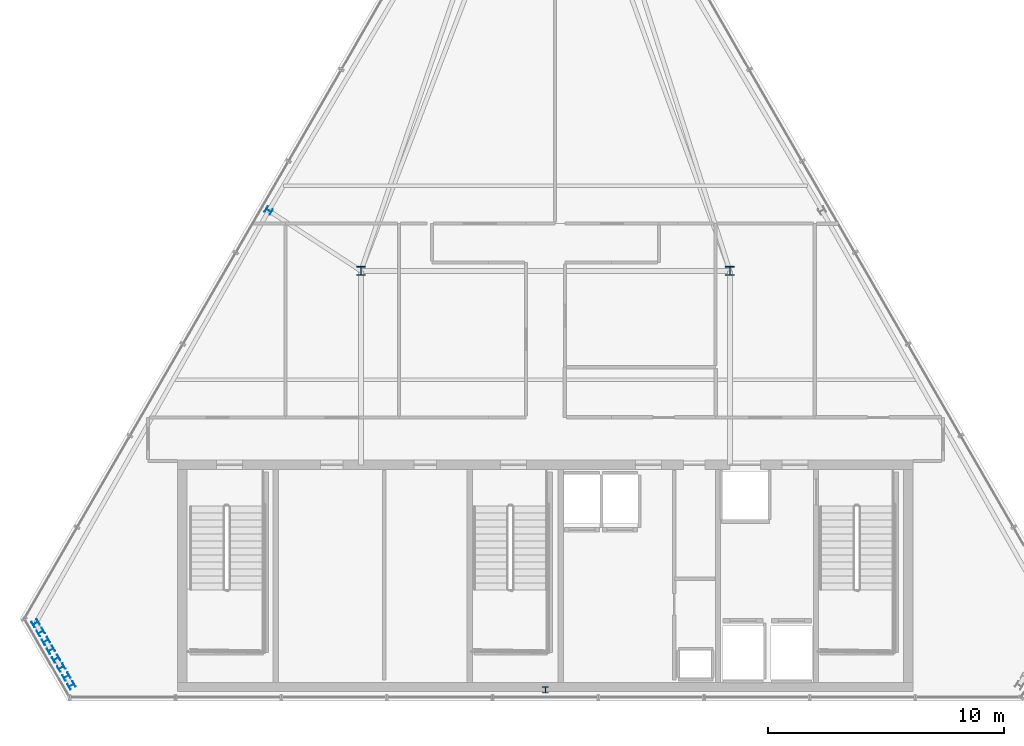
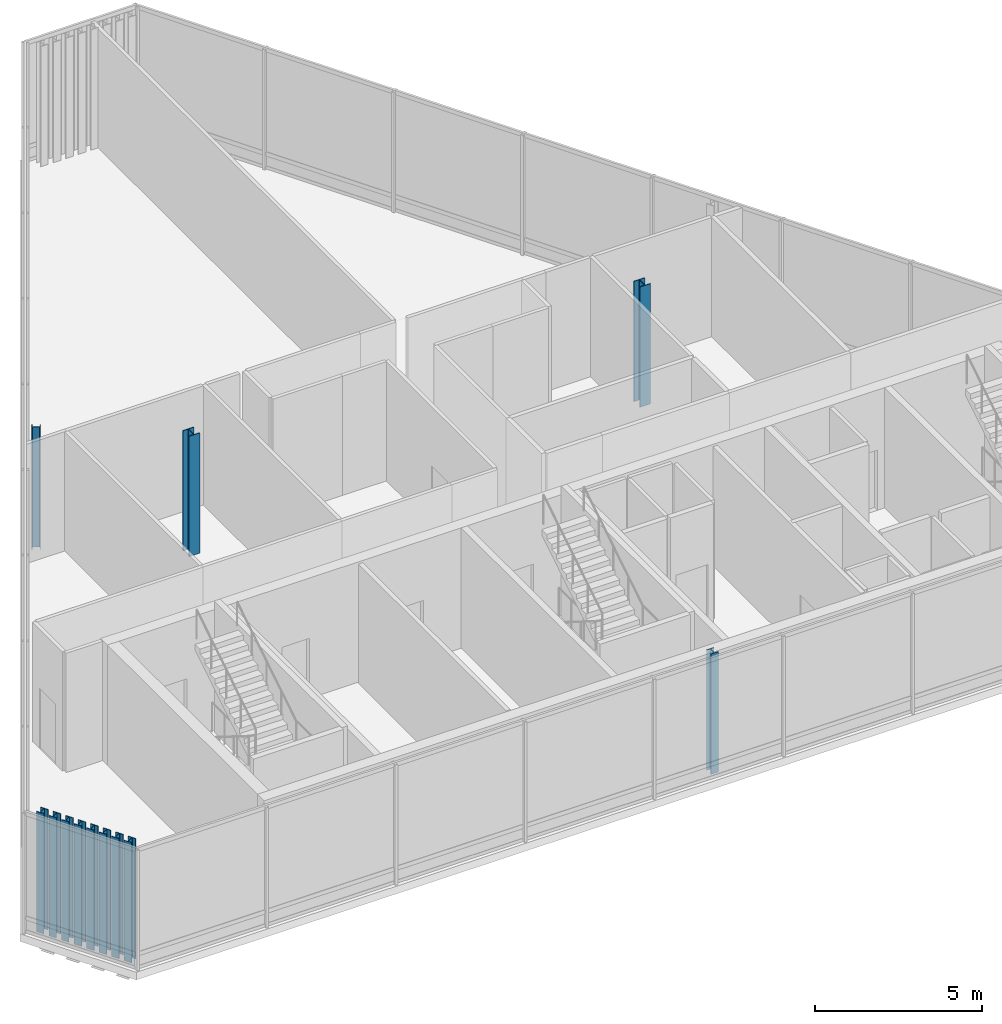
# One storey, part 1 of 25: 12 columns.
"""IFC4 building model written with IfcOpenShell, lengths in metres."""

from ifc_helpers import new_model, si_unit, direction, frame, origin, origin_2d, place, context, subcontext, project, spatial, i_section, extrude, material, material_profile, profile_set, type_object, element, save


model = new_model("IFC4")

# Units and contexts
model_context = context("Model", 3, precision=1e-05, world=origin(), true_north=direction((0.0, 1.0)))
body_context = subcontext(model_context, "Body", "Model", "MODEL_VIEW")
ifc_project = project(units=[si_unit("LENGTHUNIT", "METRE"), si_unit("AREAUNIT", "SQUARE_METRE"), si_unit("VOLUMEUNIT", "CUBIC_METRE"), si_unit("PLANEANGLEUNIT", "RADIAN"), si_unit("MASSUNIT", "GRAM", prefix="KILO")], contexts=[model_context])

# Site, building, storey
site_placement = place(None, origin())
site = spatial("IfcSite", under=ifc_project, at=site_placement, CompositionType="ELEMENT")
building_placement = place(site_placement, origin())
building = spatial("IfcBuilding", under=site, at=building_placement, Name="Ndaravel Arena Tower", CompositionType="ELEMENT")
storey_placement = place(building_placement, frame((0.0, 0.0, 303.300048828125)))
storey = spatial("IfcBuildingStorey", under=building, at=storey_placement, Name="L74", CompositionType="ELEMENT", Elevation=303.300048828125)

# Columns
ifc_material_1 = material(Name="Steel S355", Category="steel")
ifc_material_profile_1 = material_profile(ifc_material_1, i_section(OverallWidth=0.2587890625, OverallDepth=0.2666015625, WebThickness=0.0126953125, FlangeThickness=0.0205078125, FilletRadius=0.0126953125, at=origin_2d()), Name="UC 254x254x107")
ifc_profile_set_1 = profile_set([ifc_material_profile_1], Name="Steel S355")
column_type_1 = type_object("IfcColumnType", Name="COL-CRN-UC107", PredefinedType="COLUMN", material=ifc_profile_set_1)
for number, where, z_axis, x_axis, name in (
    (1, (42.0, 5.47998046875, 0.0), (0.0, 0.0, 1.0), (1.0, 0.0, 0.0), "L74 Framed Tube Column TC-01"),
    (2, (30.2998046875, 25.745361328125, 0.0), (0.0, 0.0, 1.0), (0.5, 0.866025403784, 0.0), "L74 Framed Tube Column TC-19"),
    (3, (20.443115234375, 8.29736328125, 0.0), (0.0, 0.0, 1.0), (-0.5, 0.866025403784, 0.0), "L74 Framed Tube Column TC-20"),
    (4, (20.659912109375, 7.921630859375, 0.0), (0.0, 0.0, 1.0), (-0.5, 0.866025403784, 0.0), "L74 Framed Tube Column TC-21"),
    (5, (20.876953125, 7.546142578125, 0.0), (0.0, 0.0, 1.0), (-0.5, 0.866025403784, 0.0), "L74 Framed Tube Column TC-22"),
    (6, (21.09375, 7.17041015625, 0.0), (0.0, 0.0, 1.0), (-0.5, 0.866025403784, 0.0), "L74 Framed Tube Column TC-23"),
    (7, (21.310546875, 6.794921875, 0.0), (0.0, 0.0, 1.0), (-0.5, 0.866025403784, 0.0), "L74 Framed Tube Column TC-24"),
    (8, (21.527587890625, 6.419189453125, 0.0), (0.0, 0.0, 1.0), (-0.5, 0.866025403784, 0.0), "L74 Framed Tube Column TC-25"),
    (9, (21.744384765625, 6.04345703125, 0.0), (0.0, 0.0, 1.0), (-0.5, 0.866025403784, 0.0), "L74 Framed Tube Column TC-26"),
    (10, (21.961181640625, 5.667724609375, 0.0), (0.0, 0.0, 1.0), (-0.5, 0.866025403784, 0.0), "L74 Framed Tube Column TC-27"),
):
    element("IfcColumn", number, at=place(storey_placement, frame(where, z_axis=z_axis, x_axis=x_axis)), inside=storey, type_object=column_type_1, Name=name, PredefinedType="COLUMN", context=body_context, shape_type="SweptSolid", body=[
        extrude(i_section(OverallWidth=0.2587890625, OverallDepth=0.2666015625, WebThickness=0.0126953125, FlangeThickness=0.0205078125, FilletRadius=0.0126953125, at=origin_2d()), origin(), (0.0, 0.0, 1.0), 4.39990234375),
    ])
ifc_material_2 = material(Name="Steel S355", Category="steel")
ifc_material_profile_2 = material_profile(ifc_material_2, i_section(OverallWidth=0.374755859375, OverallDepth=0.37451171875, WebThickness=0.0166015625, FlangeThickness=0.027099609375, FilletRadius=0.01513671875, at=origin_2d()), Name="UC 356x368x202")
ifc_profile_set_2 = profile_set([ifc_material_profile_2], Name="Steel S355")
column_type_2 = type_object("IfcColumnType", Name="COL-CRN-UC202", PredefinedType="COLUMN", material=ifc_profile_set_2)
for number, where, z_axis, x_axis, name in (
    (11, (34.199951171875, 23.199951171875, 0.0), (0.0, 0.0, 1.0), (1.0, 0.0, 0.0), "L74 Interior Spine Column IC-01"),
    (12, (49.800048828125, 23.199951171875, 0.0), (0.0, 0.0, 1.0), (1.0, 0.0, 0.0), "L74 Interior Spine Column IC-02"),
):
    element("IfcColumn", number, at=place(storey_placement, frame(where, z_axis=z_axis, x_axis=x_axis)), inside=storey, type_object=column_type_2, Name=name, PredefinedType="COLUMN", context=body_context, shape_type="SweptSolid", body=[
        extrude(i_section(OverallWidth=0.374755859375, OverallDepth=0.37451171875, WebThickness=0.0166015625, FlangeThickness=0.027099609375, FilletRadius=0.01513671875, at=origin_2d()), origin(), (0.0, 0.0, 1.0), 4.39990234375),
    ])

save(model, "model.ifc")
